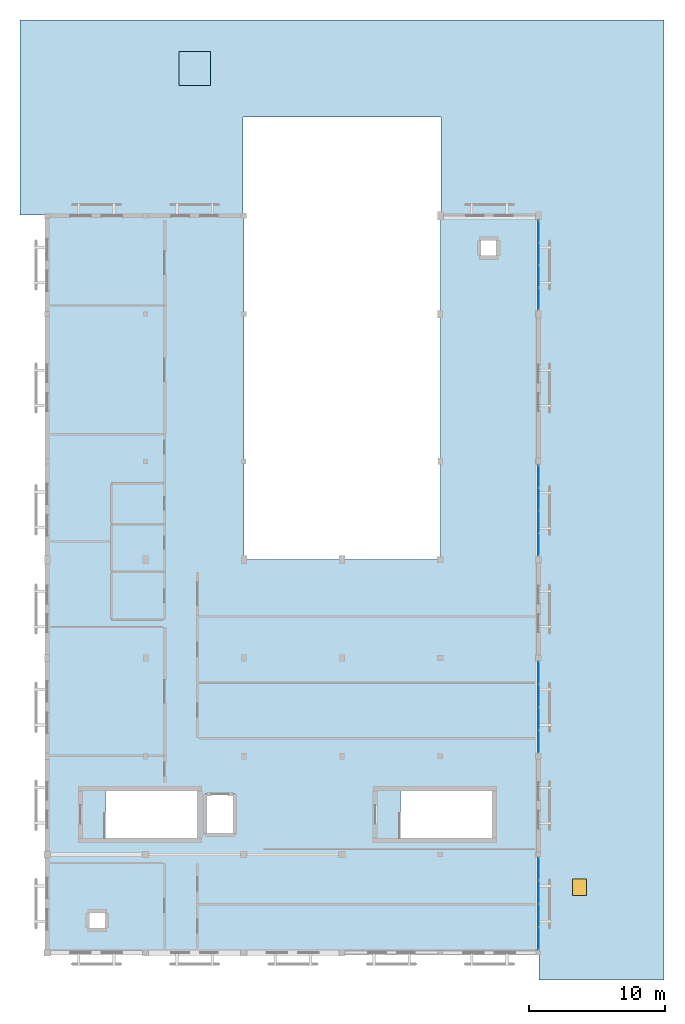
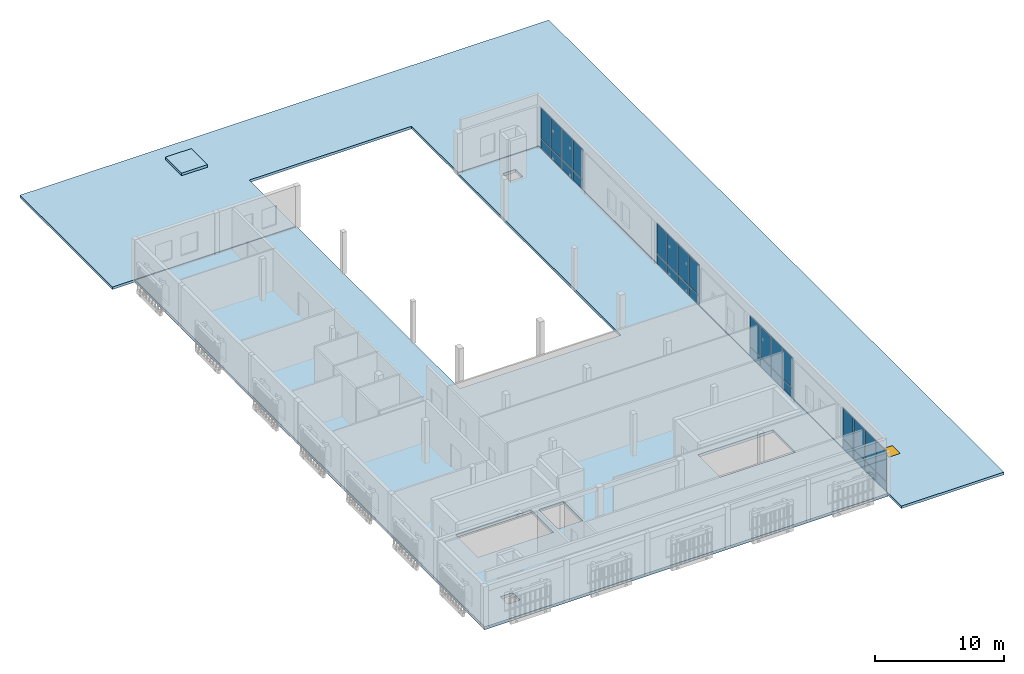
# One storey, part 6 of 11: 32 plates, 3 slabs, 1 door, 1 opening, 4 elements without a shape of their own.
"""IFC4 building model written with IfcOpenShell, lengths in metres."""

from ifc_helpers import new_model, si_unit, direction, frame, origin, origin_2d, place, context, subcontext, project, spatial, polyline, rectangle, outline, extrude, material, layer, layer_set, type_object, element, fill, aggregate, save


model = new_model("IFC4")

# Units and contexts
model_context = context("Model", 3, precision=1e-05, world=origin(), true_north=direction((0.0, 1.0)))
body_context = subcontext(model_context, "Body", "Model", "MODEL_VIEW")
ifc_project = project(units=[si_unit("LENGTHUNIT", "METRE"), si_unit("AREAUNIT", "SQUARE_METRE"), si_unit("VOLUMEUNIT", "CUBIC_METRE"), si_unit("PLANEANGLEUNIT", "RADIAN"), si_unit("MASSUNIT", "GRAM", prefix="KILO")], contexts=[model_context])

# Site, building, storey
site_placement = place(None, origin())
site = spatial("IfcSite", under=ifc_project, at=site_placement, CompositionType="ELEMENT")
building_placement = place(site_placement, origin())
building = spatial("IfcBuilding", under=site, at=building_placement, Name="Mazaris Harbour Polytechnic", CompositionType="ELEMENT")
storey_placement = place(building_placement, frame((0.0, 0.0, 22.199951171875)))
storey = spatial("IfcBuildingStorey", under=building, at=storey_placement, Name="L05", CompositionType="ELEMENT", Elevation=22.199951171875)

# Slab
ifc_material_1 = material(Name="Glulam GL28h and Concrete C30/37", Category="concrete")
ifc_layer_1 = layer(ifc_material_1, 0.264892578125, Name="Glulam GL28h and Concrete C30/37")
ifc_layer_set_1 = layer_set([ifc_layer_1], Name="Glulam GL28h and Concrete C30/37")
slab_type_1 = type_object("IfcSlabType", Name="CLT Composite Floor 265", PredefinedType="FLOOR", material=ifc_layer_set_1)
slab_1_placement = place(storey_placement, frame((0.0, 0.0, -0.264892578125)))
element("IfcSlab", 1, at=slab_1_placement, inside=storey, type_object=slab_type_1, Name="V4 L05 Floor Slab", PredefinedType="FLOOR", context=body_context, shape_type="SweptSolid", body=[
    extrude(outline(polyline([(14.39990234375, 36.0), (28.800048828125, 36.0), (28.800048828125, 61.199951171875), (36.0, 61.199951171875), (36.0, 7.199951171875), (0.0, 7.199951171875), (0.0, 61.199951171875), (14.39990234375, 61.199951171875), (14.39990234375, 36.0)]), holes=[polyline([(11.0, 19.050048828125), (4.27490234375, 19.050048828125), (4.27490234375, 15.60009765625), (11.0, 15.60009765625), (11.0, 19.050048828125)]), polyline([(32.60009765625, 15.60009765625), (32.60009765625, 19.050048828125), (25.875, 19.050048828125), (25.875, 15.60009765625), (32.60009765625, 15.60009765625)]), polyline([(11.550048828125, 15.824951171875), (13.75, 15.824951171875), (13.75, 18.824951171875), (11.550048828125, 18.824951171875), (11.550048828125, 15.824951171875)]), polyline([(3.10009765625, 10.1201171875), (3.10009765625, 9.0), (4.219970703125, 9.0), (4.219970703125, 10.1201171875), (3.10009765625, 10.1201171875)]), polyline([(32.89990234375, 59.39990234375), (31.780029296875, 59.39990234375), (31.780029296875, 58.280029296875), (32.89990234375, 58.280029296875), (32.89990234375, 59.39990234375)])]), origin(), (0.0, 0.0, 1.0), 0.264892578125),
])

# Slab, opening, door
ifc_material_2 = material(Name="Glulam GL28h and Concrete C30/37", Category="concrete")
ifc_layer_2 = layer(ifc_material_2, 0.239990234375, Name="Glulam GL28h and Concrete C30/37")
ifc_layer_set_2 = layer_set([ifc_layer_2], Name="Glulam GL28h and Concrete C30/37")
slab_type_2 = type_object("IfcSlabType", Name="Insulated Flat Roof Slab 240", PredefinedType="ROOF", material=ifc_layer_set_2)
slab_2_placement = place(storey_placement, frame((0.0, 0.0, -0.239990234375)))
slab_2 = element("IfcSlab", 2, at=slab_2_placement, inside=storey, type_object=slab_type_2, Name="V4 L04 Setback Roof 1", PredefinedType="ROOF", context=body_context, shape_type="SweptSolid", body=[
    extrude(outline(polyline([(-2.0, 75.550048828125), (45.199951171875, 75.550048828125), (45.199951171875, 5.199951171875), (36.050048828125, 5.199951171875), (36.050048828125, 61.25), (28.85009765625, 61.25), (28.85009765625, 68.449951171875), (14.35009765625, 68.449951171875), (14.35009765625, 61.25), (-2.0, 61.25), (-2.0, 75.550048828125)])), origin(), (0.0, 0.0, 1.0), 0.239990234375),
])
opening_placement = place(slab_2_placement, frame((39.0, 12.0, 0.0)))
opening = element("IfcOpeningElement", 3, at=opening_placement, cuts=slab_2, Name="Opening HT-01", PredefinedType="OPENING", context=body_context, shape_type="SweptSolid", body=[
    extrude(rectangle(XDim=1.0, YDim=1.199951171875, at=origin_2d()), origin(), (0.0, 0.0, 1.0), 0.239990234375),
])
ifc_material_3 = material(Name="Galvanised Steel S355", Category="steel")
door_type = type_object("IfcDoorType", Name="Insulated Roof Access Hatch 1000x1200", OperationType="SINGLE_SWING_LEFT", PredefinedType="TRAPDOOR", material=ifc_material_3)
door_placement = place(opening_placement, frame((0.0, 0.0, 0.18994140625)))
door = element("IfcDoor", 4, at=door_placement, inside=storey, type_object=door_type, Name="HT-01", OperationType="SINGLE_SWING_LEFT", OverallHeight=1.199951171875, OverallWidth=1.0, PredefinedType="TRAPDOOR", context=body_context, shape_type="SweptSolid", body=[
    extrude(rectangle(XDim=1.0, YDim=1.199951171875, at=origin_2d()), origin(), (0.0, 0.0, 1.0), 0.050048828125),
])
fill(opening, door)

# Slab
slab_3_placement = place(storey_placement, frame((0.0, 0.0, 0.66015625)))
element("IfcSlab", 5, at=slab_3_placement, inside=storey, type_object=slab_type_2, Name="Lift LP-01 Overrun Roof Cap", PredefinedType="ROOF", context=body_context, shape_type="SweptSolid", body=[
    extrude(outline(polyline([(11.949951171875, 70.75), (11.949951171875, 73.25), (9.64990234375, 73.25), (9.64990234375, 70.75), (11.949951171875, 70.75)])), origin(), (0.0, 0.0, 1.0), 0.239990234375),
])

# Curtain wall, plates
ifc_material_4 = material(Name="Anodised Bronze Aluminium and Low-E Glass", Category="aluminium")
ifc_layer_3 = layer(ifc_material_4, 0.159912109375, Name="Anodised Bronze Aluminium and Low-E Glass")
ifc_layer_set_3 = layer_set([ifc_layer_3], Name="Anodised Bronze Aluminium and Low-E Glass")
curtain_wall_type = type_object("IfcCurtainWallType", Name="Cloister Court Curtain Wall", PredefinedType="NOTDEFINED", material=ifc_layer_set_3)
curtain_wall_1_placement = place(storey_placement, origin())
curtain_wall_1 = element("IfcCurtainWall", 6, at=curtain_wall_1_placement, inside=storey, type_object=curtain_wall_type, Name="V4 L05 Curtain Wall 179", PredefinedType="NOTDEFINED")
ifc_material_5 = material(Name="Low-E Double Glazing", Category="glass")
ifc_layer_4 = layer(ifc_material_5, 0.028076171875, Name="Low-E Double Glazing")
ifc_layer_set_4 = layer_set([ifc_layer_4], Name="Low-E Double Glazing")
plate_type = type_object("IfcPlateType", Name="Low-E Vision Glass Panel 28", PredefinedType="CURTAIN_PANEL", material=ifc_layer_set_4)
plate_1_placement = place(storey_placement, frame((36.0, 13.341064453125, 0.080078125), z_axis=(0.0, 0.0, 1.0), x_axis=(0.0, -1.0, 0.0)))
plate_1 = element("IfcPlate", 7, at=plate_1_placement, type_object=plate_type, Name="CW-02 panel 1.1", PredefinedType="CURTAIN_PANEL", context=body_context, shape_type="SweptSolid", body=[
    extrude(rectangle(XDim=1.593994140625, YDim=0.028076171875, at=origin_2d()), origin(), (0.0, 0.0, 1.0), 0.830078125),
])
plate_2_placement = place(storey_placement, frame((36.0, 13.341064453125, 0.990234375), z_axis=(0.0, 0.0, 1.0), x_axis=(0.0, -1.0, 0.0)))
plate_2 = element("IfcPlate", 8, at=plate_2_placement, type_object=plate_type, Name="CW-02 panel 1.2", PredefinedType="CURTAIN_PANEL", context=body_context, shape_type="SweptSolid", body=[
    extrude(rectangle(XDim=1.593994140625, YDim=0.028076171875, at=origin_2d()), origin(), (0.0, 0.0, 1.0), 2.889892578125),
])
plate_3_placement = place(storey_placement, frame((36.0, 11.64697265625, 0.080078125), z_axis=(0.0, 0.0, 1.0), x_axis=(0.0, -1.0, 0.0)))
plate_3 = element("IfcPlate", 9, at=plate_3_placement, type_object=plate_type, Name="CW-02 panel 2.1", PredefinedType="CURTAIN_PANEL", context=body_context, shape_type="SweptSolid", body=[
    extrude(rectangle(XDim=1.634033203125, YDim=0.028076171875, at=origin_2d()), origin(), (0.0, 0.0, 1.0), 0.830078125),
])
plate_4_placement = place(storey_placement, frame((36.0, 11.64697265625, 0.990234375), z_axis=(0.0, 0.0, 1.0), x_axis=(0.0, -1.0, 0.0)))
plate_4 = element("IfcPlate", 10, at=plate_4_placement, type_object=plate_type, Name="CW-02 panel 2.2", PredefinedType="CURTAIN_PANEL", context=body_context, shape_type="SweptSolid", body=[
    extrude(rectangle(XDim=1.634033203125, YDim=0.028076171875, at=origin_2d()), origin(), (0.0, 0.0, 1.0), 2.889892578125),
])
plate_5_placement = place(storey_placement, frame((36.0, 9.93310546875, 0.080078125), z_axis=(0.0, 0.0, 1.0), x_axis=(0.0, -1.0, 0.0)))
plate_5 = element("IfcPlate", 11, at=plate_5_placement, type_object=plate_type, Name="CW-02 panel 3.1", PredefinedType="CURTAIN_PANEL", context=body_context, shape_type="SweptSolid", body=[
    extrude(rectangle(XDim=1.634033203125, YDim=0.028076171875, at=origin_2d()), origin(), (0.0, 0.0, 1.0), 0.830078125),
])
plate_6_placement = place(storey_placement, frame((36.0, 9.93310546875, 0.990234375), z_axis=(0.0, 0.0, 1.0), x_axis=(0.0, -1.0, 0.0)))
plate_6 = element("IfcPlate", 12, at=plate_6_placement, type_object=plate_type, Name="CW-02 panel 3.2", PredefinedType="CURTAIN_PANEL", context=body_context, shape_type="SweptSolid", body=[
    extrude(rectangle(XDim=1.634033203125, YDim=0.028076171875, at=origin_2d()), origin(), (0.0, 0.0, 1.0), 2.889892578125),
])
plate_7_placement = place(storey_placement, frame((36.0, 8.239013671875, 0.080078125), z_axis=(0.0, 0.0, 1.0), x_axis=(0.0, -1.0, 0.0)))
plate_7 = element("IfcPlate", 13, at=plate_7_placement, type_object=plate_type, Name="CW-02 panel 4.1", PredefinedType="CURTAIN_PANEL", context=body_context, shape_type="SweptSolid", body=[
    extrude(rectangle(XDim=1.593994140625, YDim=0.028076171875, at=origin_2d()), origin(), (0.0, 0.0, 1.0), 0.830078125),
])
plate_8_placement = place(storey_placement, frame((36.0, 8.239013671875, 0.990234375), z_axis=(0.0, 0.0, 1.0), x_axis=(0.0, -1.0, 0.0)))
plate_8 = element("IfcPlate", 14, at=plate_8_placement, type_object=plate_type, Name="CW-02 panel 4.2", PredefinedType="CURTAIN_PANEL", context=body_context, shape_type="SweptSolid", body=[
    extrude(rectangle(XDim=1.593994140625, YDim=0.028076171875, at=origin_2d()), origin(), (0.0, 0.0, 1.0), 2.889892578125),
])
aggregate(curtain_wall_1, [plate_1, plate_2, plate_3, plate_4, plate_5, plate_6, plate_7, plate_8])

curtain_wall_2_placement = place(storey_placement, origin())
curtain_wall_2 = element("IfcCurtainWall", 15, at=curtain_wall_2_placement, inside=storey, type_object=curtain_wall_type, Name="V4 L05 Curtain Wall 180", PredefinedType="NOTDEFINED")
plate_9_placement = place(storey_placement, frame((36.0, 27.7109375, 0.080078125), z_axis=(0.0, 0.0, 1.0), x_axis=(0.0, -1.0, 0.0)))
plate_9 = element("IfcPlate", 16, at=plate_9_placement, type_object=plate_type, Name="CW-02 panel 1.1", PredefinedType="CURTAIN_PANEL", context=body_context, shape_type="SweptSolid", body=[
    extrude(rectangle(XDim=1.573974609375, YDim=0.028076171875, at=origin_2d()), origin(), (0.0, 0.0, 1.0), 0.830078125),
])
plate_10_placement = place(storey_placement, frame((36.0, 27.7109375, 0.990234375), z_axis=(0.0, 0.0, 1.0), x_axis=(0.0, -1.0, 0.0)))
plate_10 = element("IfcPlate", 17, at=plate_10_placement, type_object=plate_type, Name="CW-02 panel 1.2", PredefinedType="CURTAIN_PANEL", context=body_context, shape_type="SweptSolid", body=[
    extrude(rectangle(XDim=1.573974609375, YDim=0.028076171875, at=origin_2d()), origin(), (0.0, 0.0, 1.0), 2.889892578125),
])
plate_11_placement = place(storey_placement, frame((36.0, 26.037109375, 0.080078125), z_axis=(0.0, 0.0, 1.0), x_axis=(0.0, -1.0, 0.0)))
plate_11 = element("IfcPlate", 18, at=plate_11_placement, type_object=plate_type, Name="CW-02 panel 2.1", PredefinedType="CURTAIN_PANEL", context=body_context, shape_type="SweptSolid", body=[
    extrude(rectangle(XDim=1.614013671875, YDim=0.028076171875, at=origin_2d()), origin(), (0.0, 0.0, 1.0), 0.830078125),
])
plate_12_placement = place(storey_placement, frame((36.0, 26.037109375, 0.990234375), z_axis=(0.0, 0.0, 1.0), x_axis=(0.0, -1.0, 0.0)))
plate_12 = element("IfcPlate", 19, at=plate_12_placement, type_object=plate_type, Name="CW-02 panel 2.2", PredefinedType="CURTAIN_PANEL", context=body_context, shape_type="SweptSolid", body=[
    extrude(rectangle(XDim=1.614013671875, YDim=0.028076171875, at=origin_2d()), origin(), (0.0, 0.0, 1.0), 2.889892578125),
])
plate_13_placement = place(storey_placement, frame((36.0, 24.343017578125, 0.080078125), z_axis=(0.0, 0.0, 1.0), x_axis=(0.0, -1.0, 0.0)))
plate_13 = element("IfcPlate", 20, at=plate_13_placement, type_object=plate_type, Name="CW-02 panel 3.1", PredefinedType="CURTAIN_PANEL", context=body_context, shape_type="SweptSolid", body=[
    extrude(rectangle(XDim=1.614013671875, YDim=0.028076171875, at=origin_2d()), origin(), (0.0, 0.0, 1.0), 0.830078125),
])
plate_14_placement = place(storey_placement, frame((36.0, 24.343017578125, 0.990234375), z_axis=(0.0, 0.0, 1.0), x_axis=(0.0, -1.0, 0.0)))
plate_14 = element("IfcPlate", 21, at=plate_14_placement, type_object=plate_type, Name="CW-02 panel 3.2", PredefinedType="CURTAIN_PANEL", context=body_context, shape_type="SweptSolid", body=[
    extrude(rectangle(XDim=1.614013671875, YDim=0.028076171875, at=origin_2d()), origin(), (0.0, 0.0, 1.0), 2.889892578125),
])
plate_15_placement = place(storey_placement, frame((36.0, 22.6689453125, 0.080078125), z_axis=(0.0, 0.0, 1.0), x_axis=(0.0, -1.0, 0.0)))
plate_15 = element("IfcPlate", 22, at=plate_15_placement, type_object=plate_type, Name="CW-02 panel 4.1", PredefinedType="CURTAIN_PANEL", context=body_context, shape_type="SweptSolid", body=[
    extrude(rectangle(XDim=1.573974609375, YDim=0.028076171875, at=origin_2d()), origin(), (0.0, 0.0, 1.0), 0.830078125),
])
plate_16_placement = place(storey_placement, frame((36.0, 22.6689453125, 0.990234375), z_axis=(0.0, 0.0, 1.0), x_axis=(0.0, -1.0, 0.0)))
plate_16 = element("IfcPlate", 23, at=plate_16_placement, type_object=plate_type, Name="CW-02 panel 4.2", PredefinedType="CURTAIN_PANEL", context=body_context, shape_type="SweptSolid", body=[
    extrude(rectangle(XDim=1.573974609375, YDim=0.028076171875, at=origin_2d()), origin(), (0.0, 0.0, 1.0), 2.889892578125),
])
aggregate(curtain_wall_2, [plate_9, plate_10, plate_11, plate_12, plate_13, plate_14, plate_15, plate_16])

curtain_wall_3_placement = place(storey_placement, origin())
curtain_wall_3 = element("IfcCurtainWall", 24, at=curtain_wall_3_placement, inside=storey, type_object=curtain_wall_type, Name="V4 L05 Curtain Wall 181", PredefinedType="NOTDEFINED")
plate_17_placement = place(storey_placement, frame((36.0, 42.107177734375, 0.080078125), z_axis=(0.0, 0.0, 1.0), x_axis=(0.0, -1.0, 0.0)))
plate_17 = element("IfcPlate", 25, at=plate_17_placement, type_object=plate_type, Name="CW-02 panel 1.1", PredefinedType="CURTAIN_PANEL", context=body_context, shape_type="SweptSolid", body=[
    extrude(rectangle(XDim=1.5615234375, YDim=0.028076171875, at=origin_2d()), origin(), (0.0, 0.0, 1.0), 0.830078125),
])
plate_18_placement = place(storey_placement, frame((36.0, 42.107177734375, 0.990234375), z_axis=(0.0, 0.0, 1.0), x_axis=(0.0, -1.0, 0.0)))
plate_18 = element("IfcPlate", 26, at=plate_18_placement, type_object=plate_type, Name="CW-02 panel 1.2", PredefinedType="CURTAIN_PANEL", context=body_context, shape_type="SweptSolid", body=[
    extrude(rectangle(XDim=1.5615234375, YDim=0.028076171875, at=origin_2d()), origin(), (0.0, 0.0, 1.0), 2.889892578125),
])
plate_19_placement = place(storey_placement, frame((36.0, 40.44580078125, 0.080078125), z_axis=(0.0, 0.0, 1.0), x_axis=(0.0, -1.0, 0.0)))
plate_19 = element("IfcPlate", 27, at=plate_19_placement, type_object=plate_type, Name="CW-02 panel 2.1", PredefinedType="CURTAIN_PANEL", context=body_context, shape_type="SweptSolid", body=[
    extrude(rectangle(XDim=1.6015625, YDim=0.028076171875, at=origin_2d()), origin(), (0.0, 0.0, 1.0), 0.830078125),
])
plate_20_placement = place(storey_placement, frame((36.0, 40.44580078125, 0.990234375), z_axis=(0.0, 0.0, 1.0), x_axis=(0.0, -1.0, 0.0)))
plate_20 = element("IfcPlate", 28, at=plate_20_placement, type_object=plate_type, Name="CW-02 panel 2.2", PredefinedType="CURTAIN_PANEL", context=body_context, shape_type="SweptSolid", body=[
    extrude(rectangle(XDim=1.6015625, YDim=0.028076171875, at=origin_2d()), origin(), (0.0, 0.0, 1.0), 2.889892578125),
])
plate_21_placement = place(storey_placement, frame((36.0, 38.76416015625, 0.080078125), z_axis=(0.0, 0.0, 1.0), x_axis=(0.0, -1.0, 0.0)))
plate_21 = element("IfcPlate", 29, at=plate_21_placement, type_object=plate_type, Name="CW-02 panel 3.1", PredefinedType="CURTAIN_PANEL", context=body_context, shape_type="SweptSolid", body=[
    extrude(rectangle(XDim=1.6015625, YDim=0.028076171875, at=origin_2d()), origin(), (0.0, 0.0, 1.0), 0.830078125),
])
plate_22_placement = place(storey_placement, frame((36.0, 38.76416015625, 0.990234375), z_axis=(0.0, 0.0, 1.0), x_axis=(0.0, -1.0, 0.0)))
plate_22 = element("IfcPlate", 30, at=plate_22_placement, type_object=plate_type, Name="CW-02 panel 3.2", PredefinedType="CURTAIN_PANEL", context=body_context, shape_type="SweptSolid", body=[
    extrude(rectangle(XDim=1.6015625, YDim=0.028076171875, at=origin_2d()), origin(), (0.0, 0.0, 1.0), 2.889892578125),
])
plate_23_placement = place(storey_placement, frame((36.0, 37.102783203125, 0.080078125), z_axis=(0.0, 0.0, 1.0), x_axis=(0.0, -1.0, 0.0)))
plate_23 = element("IfcPlate", 31, at=plate_23_placement, type_object=plate_type, Name="CW-02 panel 4.1", PredefinedType="CURTAIN_PANEL", context=body_context, shape_type="SweptSolid", body=[
    extrude(rectangle(XDim=1.5615234375, YDim=0.028076171875, at=origin_2d()), origin(), (0.0, 0.0, 1.0), 0.830078125),
])
plate_24_placement = place(storey_placement, frame((36.0, 37.102783203125, 0.990234375), z_axis=(0.0, 0.0, 1.0), x_axis=(0.0, -1.0, 0.0)))
plate_24 = element("IfcPlate", 32, at=plate_24_placement, type_object=plate_type, Name="CW-02 panel 4.2", PredefinedType="CURTAIN_PANEL", context=body_context, shape_type="SweptSolid", body=[
    extrude(rectangle(XDim=1.5615234375, YDim=0.028076171875, at=origin_2d()), origin(), (0.0, 0.0, 1.0), 2.889892578125),
])
aggregate(curtain_wall_3, [plate_17, plate_18, plate_19, plate_20, plate_21, plate_22, plate_23, plate_24])

curtain_wall_4_placement = place(storey_placement, origin())
curtain_wall_4 = element("IfcCurtainWall", 33, at=curtain_wall_4_placement, inside=storey, type_object=curtain_wall_type, Name="V4 L05 Curtain Wall 182", PredefinedType="NOTDEFINED")
plate_25_placement = place(storey_placement, frame((36.0, 60.05712890625, 0.080078125), z_axis=(0.0, 0.0, 1.0), x_axis=(0.0, -1.0, 0.0)))
plate_25 = element("IfcPlate", 34, at=plate_25_placement, type_object=plate_type, Name="CW-02 panel 1.1", PredefinedType="CURTAIN_PANEL", context=body_context, shape_type="SweptSolid", body=[
    extrude(rectangle(XDim=1.54150390625, YDim=0.028076171875, at=origin_2d()), origin(), (0.0, 0.0, 1.0), 0.830078125),
])
plate_26_placement = place(storey_placement, frame((36.0, 60.05712890625, 0.990234375), z_axis=(0.0, 0.0, 1.0), x_axis=(0.0, -1.0, 0.0)))
plate_26 = element("IfcPlate", 35, at=plate_26_placement, type_object=plate_type, Name="CW-02 panel 1.2", PredefinedType="CURTAIN_PANEL", context=body_context, shape_type="SweptSolid", body=[
    extrude(rectangle(XDim=1.54150390625, YDim=0.028076171875, at=origin_2d()), origin(), (0.0, 0.0, 1.0), 2.889892578125),
])
plate_27_placement = place(storey_placement, frame((36.0, 58.415771484375, 0.080078125), z_axis=(0.0, 0.0, 1.0), x_axis=(0.0, -1.0, 0.0)))
plate_27 = element("IfcPlate", 36, at=plate_27_placement, type_object=plate_type, Name="CW-02 panel 2.1", PredefinedType="CURTAIN_PANEL", context=body_context, shape_type="SweptSolid", body=[
    extrude(rectangle(XDim=1.58154296875, YDim=0.028076171875, at=origin_2d()), origin(), (0.0, 0.0, 1.0), 0.830078125),
])
plate_28_placement = place(storey_placement, frame((36.0, 58.415771484375, 0.990234375), z_axis=(0.0, 0.0, 1.0), x_axis=(0.0, -1.0, 0.0)))
plate_28 = element("IfcPlate", 37, at=plate_28_placement, type_object=plate_type, Name="CW-02 panel 2.2", PredefinedType="CURTAIN_PANEL", context=body_context, shape_type="SweptSolid", body=[
    extrude(rectangle(XDim=1.58154296875, YDim=0.028076171875, at=origin_2d()), origin(), (0.0, 0.0, 1.0), 2.889892578125),
])
plate_29_placement = place(storey_placement, frame((36.0, 56.754150390625, 0.080078125), z_axis=(0.0, 0.0, 1.0), x_axis=(0.0, -1.0, 0.0)))
plate_29 = element("IfcPlate", 38, at=plate_29_placement, type_object=plate_type, Name="CW-02 panel 3.1", PredefinedType="CURTAIN_PANEL", context=body_context, shape_type="SweptSolid", body=[
    extrude(rectangle(XDim=1.58154296875, YDim=0.028076171875, at=origin_2d()), origin(), (0.0, 0.0, 1.0), 0.830078125),
])
plate_30_placement = place(storey_placement, frame((36.0, 56.754150390625, 0.990234375), z_axis=(0.0, 0.0, 1.0), x_axis=(0.0, -1.0, 0.0)))
plate_30 = element("IfcPlate", 39, at=plate_30_placement, type_object=plate_type, Name="CW-02 panel 3.2", PredefinedType="CURTAIN_PANEL", context=body_context, shape_type="SweptSolid", body=[
    extrude(rectangle(XDim=1.58154296875, YDim=0.028076171875, at=origin_2d()), origin(), (0.0, 0.0, 1.0), 2.889892578125),
])
plate_31_placement = place(storey_placement, frame((36.0, 55.11279296875, 0.080078125), z_axis=(0.0, 0.0, 1.0), x_axis=(0.0, -1.0, 0.0)))
plate_31 = element("IfcPlate", 40, at=plate_31_placement, type_object=plate_type, Name="CW-02 panel 4.1", PredefinedType="CURTAIN_PANEL", context=body_context, shape_type="SweptSolid", body=[
    extrude(rectangle(XDim=1.54150390625, YDim=0.028076171875, at=origin_2d()), origin(), (0.0, 0.0, 1.0), 0.830078125),
])
plate_32_placement = place(storey_placement, frame((36.0, 55.11279296875, 0.990234375), z_axis=(0.0, 0.0, 1.0), x_axis=(0.0, -1.0, 0.0)))
plate_32 = element("IfcPlate", 41, at=plate_32_placement, type_object=plate_type, Name="CW-02 panel 4.2", PredefinedType="CURTAIN_PANEL", context=body_context, shape_type="SweptSolid", body=[
    extrude(rectangle(XDim=1.54150390625, YDim=0.028076171875, at=origin_2d()), origin(), (0.0, 0.0, 1.0), 2.889892578125),
])
aggregate(curtain_wall_4, [plate_25, plate_26, plate_27, plate_28, plate_29, plate_30, plate_31, plate_32])

save(model, "model.ifc")
